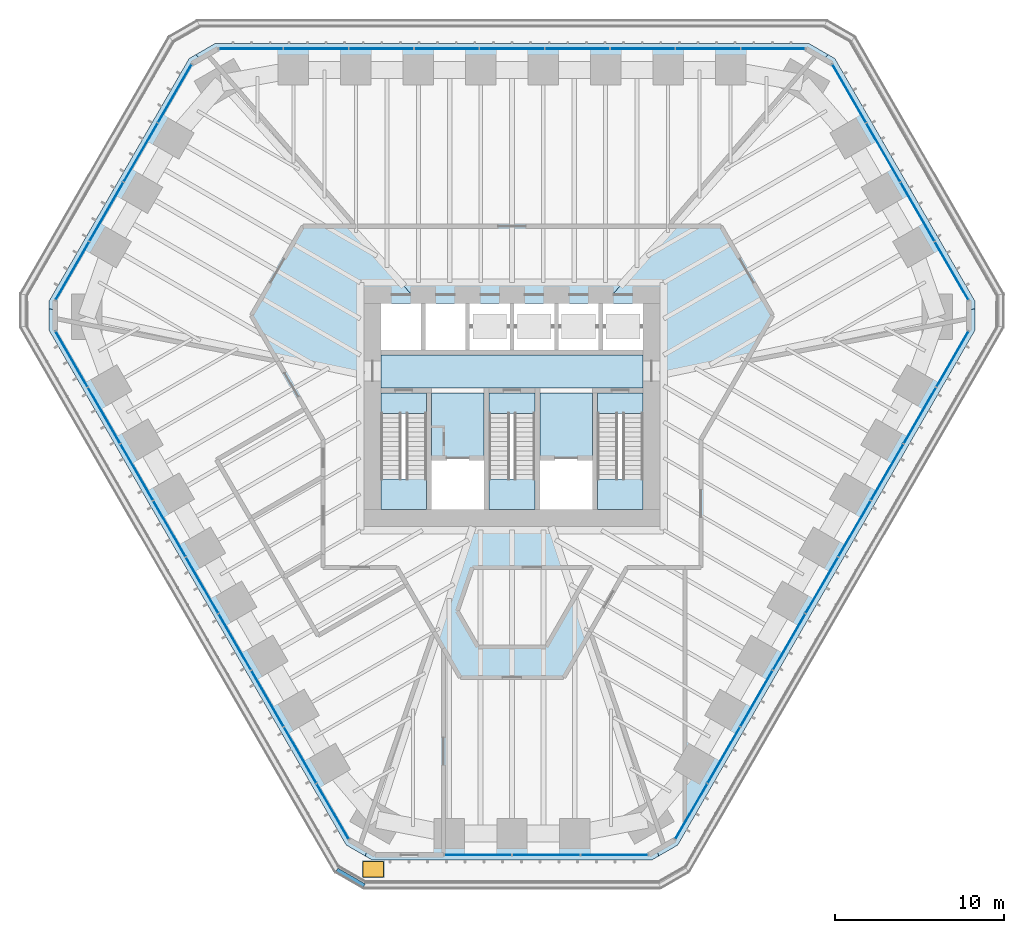
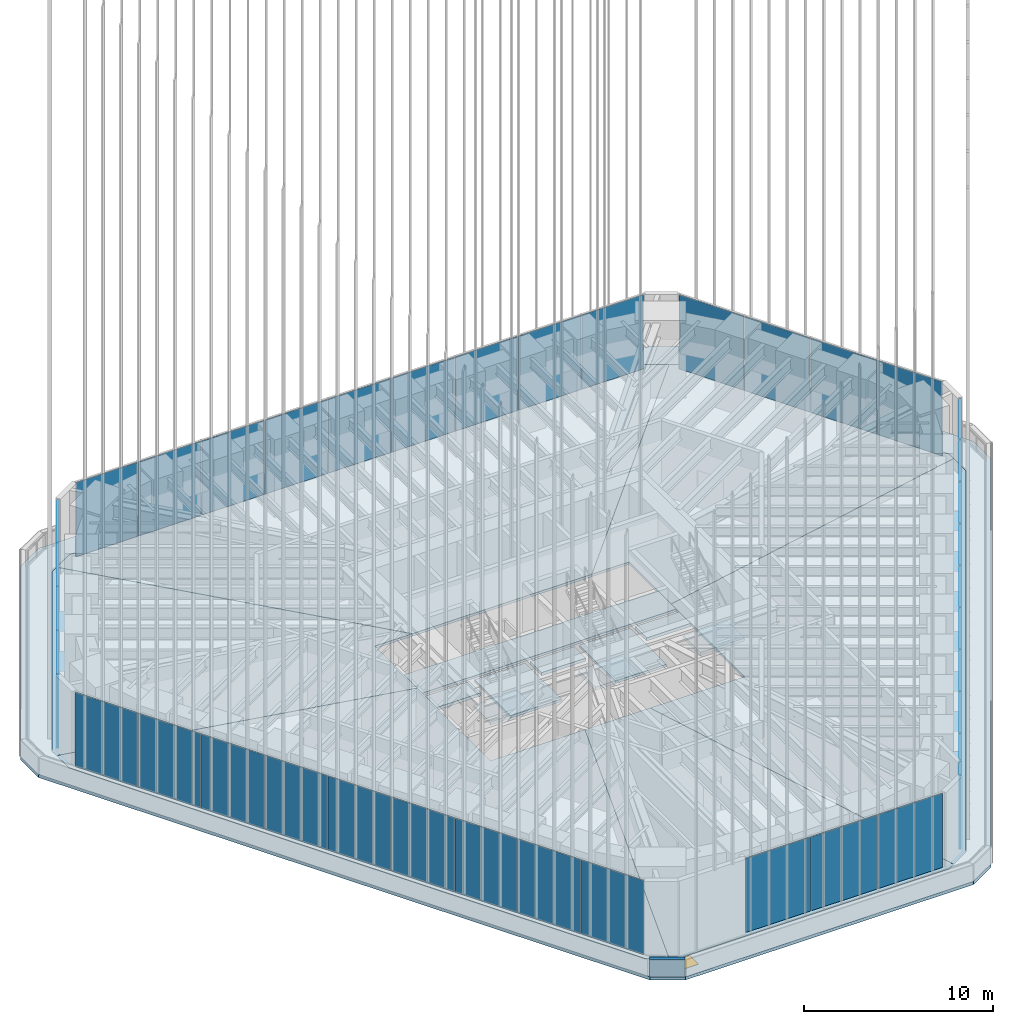
# One storey, part 219 of 228: 38 plates, 16 slabs, 1 wall, 1 window, 1 opening, 9 elements without a shape of their own.
"""IFC4 building model written with IfcOpenShell, lengths in metres."""

from ifc_helpers import new_model, si_unit, direction, frame, frame_2d, origin, origin_2d, place, context, subcontext, project, spatial, polyline, rectangle, outline, extrude, material, layer, layer_set, type_object, element, fill, aggregate, save


model = new_model("IFC4")

# Units and contexts
model_context = context("Model", 3, precision=1e-05, world=origin(), true_north=direction((0.0, 1.0)))
body_context = subcontext(model_context, "Body", "Model", "MODEL_VIEW")
ifc_project = project(units=[si_unit("LENGTHUNIT", "METRE"), si_unit("AREAUNIT", "SQUARE_METRE"), si_unit("VOLUMEUNIT", "CUBIC_METRE"), si_unit("PLANEANGLEUNIT", "RADIAN"), si_unit("MASSUNIT", "GRAM", prefix="KILO")], contexts=[model_context])

# Site, building, storey
site_placement = place(None, origin())
site = spatial("IfcSite", under=ifc_project, at=site_placement, CompositionType="ELEMENT")
building_placement = place(site_placement, origin())
building = spatial("IfcBuilding", under=site, at=building_placement, Name="Sandreach Pilgrim Tower", CompositionType="ELEMENT")
storey_placement = place(building_placement, frame((0.0, 0.0, 178.199951171875)))
storey = spatial("IfcBuildingStorey", under=building, at=storey_placement, Name="L44", CompositionType="ELEMENT", Elevation=178.199951171875)

# Curtain wall, plates
ifc_material_1 = material(Name="Aluminium framed curtain wall", Category="aluminium")
curtain_wall_type = type_object("IfcCurtainWallType", Name="Upper hotel tower curtain wall", PredefinedType="NOTDEFINED", material=ifc_material_1)
curtain_wall_1_placement = place(storey_placement, origin())
curtain_wall_1 = element("IfcCurtainWall", 1, at=curtain_wall_1_placement, inside=storey, type_object=curtain_wall_type, Name="CW-3 L44 N", PredefinedType="NOTDEFINED")
ifc_material_2 = material(Name="Insulating glass unit 12.76 laminated + 20 argon + 12.76 laminated", Category="glass")
ifc_layer_1 = layer(ifc_material_2, 0.0458984375)
ifc_layer_set_1 = layer_set([ifc_layer_1], Name="CW-3 panel")
plate_type = type_object("IfcPlateType", Name="CW-3 panel", PredefinedType="CURTAIN_PANEL", material=ifc_layer_set_1)
plate_1_placement = place(storey_placement, frame((-15.44140625, 21.16015625, 0.0), z_axis=(0.0, 0.0, 1.0), x_axis=(1.0, 0.0, 0.0)))
plate_1 = element("IfcPlate", 2, at=plate_1_placement, type_object=plate_type, Name="CW-3 panel 1", PredefinedType="CURTAIN_PANEL", context=body_context, shape_type="SweptSolid", body=[
    extrude(rectangle(XDim=3.766845703125, YDim=0.0458984375, at=origin_2d()), origin(), (0.0, 0.0, 1.0), 4.77001953125),
])
plate_2_placement = place(storey_placement, frame((-11.59326171875, 21.16015625, 0.0), z_axis=(0.0, 0.0, 1.0), x_axis=(1.0, 0.0, 0.0)))
plate_2 = element("IfcPlate", 3, at=plate_2_placement, type_object=plate_type, Name="CW-3 panel 2", PredefinedType="CURTAIN_PANEL", context=body_context, shape_type="SweptSolid", body=[
    extrude(rectangle(XDim=3.79931640625, YDim=0.0458984375, at=origin_2d()), origin(), (0.0, 0.0, 1.0), 4.77001953125),
])
plate_3_placement = place(storey_placement, frame((-7.728759765625, 21.16015625, 0.0), z_axis=(0.0, 0.0, 1.0), x_axis=(1.0, 0.0, 0.0)))
plate_3 = element("IfcPlate", 4, at=plate_3_placement, type_object=plate_type, Name="CW-3 panel 3", PredefinedType="CURTAIN_PANEL", context=body_context, shape_type="SweptSolid", body=[
    extrude(rectangle(XDim=3.79931640625, YDim=0.0458984375, at=origin_2d()), origin(), (0.0, 0.0, 1.0), 4.77001953125),
])
plate_4_placement = place(storey_placement, frame((-3.864501953125, 21.16015625, 0.0), z_axis=(0.0, 0.0, 1.0), x_axis=(1.0, 0.0, 0.0)))
plate_4 = element("IfcPlate", 5, at=plate_4_placement, type_object=plate_type, Name="CW-3 panel 4", PredefinedType="CURTAIN_PANEL", context=body_context, shape_type="SweptSolid", body=[
    extrude(rectangle(XDim=3.79931640625, YDim=0.0458984375, at=origin_2d()), origin(), (0.0, 0.0, 1.0), 4.77001953125),
])
plate_5_placement = place(storey_placement, frame((0.0, 21.16015625, 0.0), z_axis=(0.0, 0.0, 1.0), x_axis=(1.0, 0.0, 0.0)))
plate_5 = element("IfcPlate", 6, at=plate_5_placement, type_object=plate_type, Name="CW-3 panel 5", PredefinedType="CURTAIN_PANEL", context=body_context, shape_type="SweptSolid", body=[
    extrude(rectangle(XDim=3.79931640625, YDim=0.0458984375, at=origin_2d()), origin(), (0.0, 0.0, 1.0), 4.77001953125),
])
plate_6_placement = place(storey_placement, frame((3.864501953125, 21.16015625, 0.0), z_axis=(0.0, 0.0, 1.0), x_axis=(1.0, 0.0, 0.0)))
plate_6 = element("IfcPlate", 7, at=plate_6_placement, type_object=plate_type, Name="CW-3 panel 6", PredefinedType="CURTAIN_PANEL", context=body_context, shape_type="SweptSolid", body=[
    extrude(rectangle(XDim=3.79931640625, YDim=0.0458984375, at=origin_2d()), origin(), (0.0, 0.0, 1.0), 4.77001953125),
])
plate_7_placement = place(storey_placement, frame((7.728759765625, 21.16015625, 0.0), z_axis=(0.0, 0.0, 1.0), x_axis=(1.0, 0.0, 0.0)))
plate_7 = element("IfcPlate", 8, at=plate_7_placement, type_object=plate_type, Name="CW-3 panel 7", PredefinedType="CURTAIN_PANEL", context=body_context, shape_type="SweptSolid", body=[
    extrude(rectangle(XDim=3.79931640625, YDim=0.0458984375, at=origin_2d()), origin(), (0.0, 0.0, 1.0), 4.77001953125),
])
plate_8_placement = place(storey_placement, frame((11.59326171875, 21.16015625, 0.0), z_axis=(0.0, 0.0, 1.0), x_axis=(1.0, 0.0, 0.0)))
plate_8 = element("IfcPlate", 9, at=plate_8_placement, type_object=plate_type, Name="CW-3 panel 8", PredefinedType="CURTAIN_PANEL", context=body_context, shape_type="SweptSolid", body=[
    extrude(rectangle(XDim=3.79931640625, YDim=0.0458984375, at=origin_2d()), origin(), (0.0, 0.0, 1.0), 4.77001953125),
])
plate_9_placement = place(storey_placement, frame((15.44140625, 21.16015625, 0.0), z_axis=(0.0, 0.0, 1.0), x_axis=(1.0, 0.0, 0.0)))
plate_9 = element("IfcPlate", 10, at=plate_9_placement, type_object=plate_type, Name="CW-3 panel 9", PredefinedType="CURTAIN_PANEL", context=body_context, shape_type="SweptSolid", body=[
    extrude(rectangle(XDim=3.766845703125, YDim=0.0458984375, at=origin_2d()), origin(), (0.0, 0.0, 1.0), 4.77001953125),
])
aggregate(curtain_wall_1, [plate_1, plate_2, plate_3, plate_4, plate_5, plate_6, plate_7, plate_8, plate_9])

curtain_wall_2_placement = place(storey_placement, origin())
curtain_wall_2 = element("IfcCurtainWall", 11, at=curtain_wall_2_placement, inside=storey, type_object=curtain_wall_type, Name="CW-3 L44 NE", PredefinedType="NOTDEFINED")
plate_10_placement = place(storey_placement, frame((19.943115234375, 18.5078125, 0.0), z_axis=(0.0, 0.0, 1.0), x_axis=(0.5, -0.866025403784, 0.0)))
plate_10 = element("IfcPlate", 12, at=plate_10_placement, type_object=plate_type, Name="CW-3 panel 1", PredefinedType="CURTAIN_PANEL", context=body_context, shape_type="SweptSolid", body=[
    extrude(rectangle(XDim=3.951171875, YDim=0.0458984375, at=origin_2d()), origin(), (0.0, 0.0, 1.0), 4.77001953125),
])
plate_11_placement = place(storey_placement, frame((21.959228515625, 15.015625, 0.0), z_axis=(0.0, 0.0, 1.0), x_axis=(0.5, -0.866025403784, 0.0)))
plate_11 = element("IfcPlate", 13, at=plate_11_placement, type_object=plate_type, Name="CW-3 panel 2", PredefinedType="CURTAIN_PANEL", context=body_context, shape_type="SweptSolid", body=[
    extrude(rectangle(XDim=3.983642578125, YDim=0.0458984375, at=origin_2d()), origin(), (0.0, 0.0, 1.0), 4.77001953125),
])
plate_12_placement = place(storey_placement, frame((23.983642578125, 11.509521484375, 0.0), z_axis=(0.0, 0.0, 1.0), x_axis=(0.5, -0.866025403784, 0.0)))
plate_12 = element("IfcPlate", 14, at=plate_12_placement, type_object=plate_type, Name="CW-3 panel 3", PredefinedType="CURTAIN_PANEL", context=body_context, shape_type="SweptSolid", body=[
    extrude(rectangle(XDim=3.983642578125, YDim=0.0458984375, at=origin_2d()), origin(), (0.0, 0.0, 1.0), 4.77001953125),
])
plate_13_placement = place(storey_placement, frame((25.999755859375, 8.017333984375, 0.0), z_axis=(0.0, 0.0, 1.0), x_axis=(0.5, -0.866025403784, 0.0)))
plate_13 = element("IfcPlate", 15, at=plate_13_placement, type_object=plate_type, Name="CW-3 panel 4", PredefinedType="CURTAIN_PANEL", context=body_context, shape_type="SweptSolid", body=[
    extrude(rectangle(XDim=3.951171875, YDim=0.0458984375, at=origin_2d()), origin(), (0.0, 0.0, 1.0), 4.77001953125),
])
aggregate(curtain_wall_2, [plate_10, plate_11, plate_12, plate_13])

curtain_wall_3_placement = place(storey_placement, origin())
curtain_wall_3 = element("IfcCurtainWall", 16, at=curtain_wall_3_placement, inside=storey, type_object=curtain_wall_type, Name="CW-3 L44 SE", PredefinedType="NOTDEFINED")
plate_14_placement = place(storey_placement, frame((26.0458984375, 2.792724609375, 0.0), z_axis=(0.0, 0.0, 1.0), x_axis=(-0.5, -0.866025403784, 0.0)))
plate_14 = element("IfcPlate", 17, at=plate_14_placement, type_object=plate_type, Name="CW-3 panel 1", PredefinedType="CURTAIN_PANEL", context=body_context, shape_type="SweptSolid", body=[
    extrude(rectangle(XDim=3.766845703125, YDim=0.0458984375, at=origin_2d()), origin(), (0.0, 0.0, 1.0), 4.77001953125),
])
plate_15_placement = place(storey_placement, frame((24.121826171875, -0.5400390625, 0.0), z_axis=(0.0, 0.0, 1.0), x_axis=(-0.5, -0.866025403784, 0.0)))
plate_15 = element("IfcPlate", 18, at=plate_15_placement, type_object=plate_type, Name="CW-3 panel 2", PredefinedType="CURTAIN_PANEL", context=body_context, shape_type="SweptSolid", body=[
    extrude(rectangle(XDim=3.79931640625, YDim=0.0458984375, at=origin_2d()), origin(), (0.0, 0.0, 1.0), 4.77001953125),
])
plate_16_placement = place(storey_placement, frame((22.189697265625, -3.88671875, 0.0), z_axis=(0.0, 0.0, 1.0), x_axis=(-0.5, -0.866025403784, 0.0)))
plate_16 = element("IfcPlate", 19, at=plate_16_placement, type_object=plate_type, Name="CW-3 panel 3", PredefinedType="CURTAIN_PANEL", context=body_context, shape_type="SweptSolid", body=[
    extrude(rectangle(XDim=3.79931640625, YDim=0.0458984375, at=origin_2d()), origin(), (0.0, 0.0, 1.0), 4.77001953125),
])
plate_17_placement = place(storey_placement, frame((20.25732421875, -7.2333984375, 0.0), z_axis=(0.0, 0.0, 1.0), x_axis=(-0.5, -0.866025403784, 0.0)))
plate_17 = element("IfcPlate", 20, at=plate_17_placement, type_object=plate_type, Name="CW-3 panel 4", PredefinedType="CURTAIN_PANEL", context=body_context, shape_type="SweptSolid", body=[
    extrude(rectangle(XDim=3.79931640625, YDim=0.0458984375, at=origin_2d()), origin(), (0.0, 0.0, 1.0), 4.77001953125),
])
plate_18_placement = place(storey_placement, frame((18.3251953125, -10.580078125, 0.0), z_axis=(0.0, 0.0, 1.0), x_axis=(-0.5, -0.866025403784, 0.0)))
plate_18 = element("IfcPlate", 21, at=plate_18_placement, type_object=plate_type, Name="CW-3 panel 5", PredefinedType="CURTAIN_PANEL", context=body_context, shape_type="SweptSolid", body=[
    extrude(rectangle(XDim=3.79931640625, YDim=0.0458984375, at=origin_2d()), origin(), (0.0, 0.0, 1.0), 4.77001953125),
])
plate_19_placement = place(storey_placement, frame((16.39306640625, -13.9267578125, 0.0), z_axis=(0.0, 0.0, 1.0), x_axis=(-0.5, -0.866025403784, 0.0)))
plate_19 = element("IfcPlate", 22, at=plate_19_placement, type_object=plate_type, Name="CW-3 panel 6", PredefinedType="CURTAIN_PANEL", context=body_context, shape_type="SweptSolid", body=[
    extrude(rectangle(XDim=3.79931640625, YDim=0.0458984375, at=origin_2d()), origin(), (0.0, 0.0, 1.0), 4.77001953125),
])
plate_20_placement = place(storey_placement, frame((14.460693359375, -17.2734375, 0.0), z_axis=(0.0, 0.0, 1.0), x_axis=(-0.5, -0.866025403784, 0.0)))
plate_20 = element("IfcPlate", 23, at=plate_20_placement, type_object=plate_type, Name="CW-3 panel 7", PredefinedType="CURTAIN_PANEL", context=body_context, shape_type="SweptSolid", body=[
    extrude(rectangle(XDim=3.79931640625, YDim=0.0458984375, at=origin_2d()), origin(), (0.0, 0.0, 1.0), 4.77001953125),
])
plate_21_placement = place(storey_placement, frame((12.528564453125, -20.6201171875, 0.0), z_axis=(0.0, 0.0, 1.0), x_axis=(-0.5, -0.866025403784, 0.0)))
plate_21 = element("IfcPlate", 24, at=plate_21_placement, type_object=plate_type, Name="CW-3 panel 8", PredefinedType="CURTAIN_PANEL", context=body_context, shape_type="SweptSolid", body=[
    extrude(rectangle(XDim=3.79931640625, YDim=0.0458984375, at=origin_2d()), origin(), (0.0, 0.0, 1.0), 4.77001953125),
])
plate_22_placement = place(storey_placement, frame((10.6044921875, -23.95263671875, 0.0), z_axis=(0.0, 0.0, 1.0), x_axis=(-0.5, -0.866025403784, 0.0)))
plate_22 = element("IfcPlate", 25, at=plate_22_placement, type_object=plate_type, Name="CW-3 panel 9", PredefinedType="CURTAIN_PANEL", context=body_context, shape_type="SweptSolid", body=[
    extrude(rectangle(XDim=3.766845703125, YDim=0.0458984375, at=origin_2d()), origin(), (0.0, 0.0, 1.0), 4.77001953125),
])
aggregate(curtain_wall_3, [plate_14, plate_15, plate_16, plate_17, plate_18, plate_19, plate_20, plate_21, plate_22])

curtain_wall_4_placement = place(storey_placement, origin())
curtain_wall_4 = element("IfcCurtainWall", 26, at=curtain_wall_4_placement, inside=storey, type_object=curtain_wall_type, Name="CW-3 L44 SA", PredefinedType="NOTDEFINED")
plate_23_placement = place(storey_placement, frame((6.056884765625, -26.525146484375, 0.0), z_axis=(0.0, 0.0, 1.0), x_axis=(-1.0, 0.0, 0.0)))
plate_23 = element("IfcPlate", 27, at=plate_23_placement, type_object=plate_type, Name="CW-3 panel 1", PredefinedType="CURTAIN_PANEL", context=body_context, shape_type="SweptSolid", body=[
    extrude(rectangle(XDim=3.951171875, YDim=0.0458984375, at=origin_2d()), origin(), (0.0, 0.0, 1.0), 4.77001953125),
])
plate_24_placement = place(storey_placement, frame((2.0244140625, -26.525146484375, 0.0), z_axis=(0.0, 0.0, 1.0), x_axis=(-1.0, 0.0, 0.0)))
plate_24 = element("IfcPlate", 28, at=plate_24_placement, type_object=plate_type, Name="CW-3 panel 2", PredefinedType="CURTAIN_PANEL", context=body_context, shape_type="SweptSolid", body=[
    extrude(rectangle(XDim=3.983642578125, YDim=0.0458984375, at=origin_2d()), origin(), (0.0, 0.0, 1.0), 4.77001953125),
])
plate_25_placement = place(storey_placement, frame((-2.008056640625, -26.525146484375, 0.0), z_axis=(0.0, 0.0, 1.0), x_axis=(-1.0, 0.0, 0.0)))
plate_25 = element("IfcPlate", 29, at=plate_25_placement, type_object=plate_type, Name="CW-3 panel 3", PredefinedType="CURTAIN_PANEL", context=body_context, shape_type="SweptSolid", body=[
    extrude(rectangle(XDim=3.951171875, YDim=0.0458984375, at=origin_2d()), origin(), (0.0, 0.0, 1.0), 4.77001953125),
])
aggregate(curtain_wall_4, [plate_23, plate_24, plate_25])

curtain_wall_5_placement = place(storey_placement, origin())
curtain_wall_5 = element("IfcCurtainWall", 30, at=curtain_wall_5_placement, inside=storey, type_object=curtain_wall_type, Name="CW-3 L44 SW", PredefinedType="NOTDEFINED")
plate_26_placement = place(storey_placement, frame((-10.6044921875, -23.95263671875, 0.0), z_axis=(0.0, 0.0, 1.0), x_axis=(-0.5, 0.866025403784, 0.0)))
plate_26 = element("IfcPlate", 31, at=plate_26_placement, type_object=plate_type, Name="CW-3 panel 1", PredefinedType="CURTAIN_PANEL", context=body_context, shape_type="SweptSolid", body=[
    extrude(rectangle(XDim=3.766845703125, YDim=0.0458984375, at=origin_2d()), origin(), (0.0, 0.0, 1.0), 4.77001953125),
])
plate_27_placement = place(storey_placement, frame((-12.528564453125, -20.6201171875, 0.0), z_axis=(0.0, 0.0, 1.0), x_axis=(-0.5, 0.866025403784, 0.0)))
plate_27 = element("IfcPlate", 32, at=plate_27_placement, type_object=plate_type, Name="CW-3 panel 2", PredefinedType="CURTAIN_PANEL", context=body_context, shape_type="SweptSolid", body=[
    extrude(rectangle(XDim=3.79931640625, YDim=0.0458984375, at=origin_2d()), origin(), (0.0, 0.0, 1.0), 4.77001953125),
])
plate_28_placement = place(storey_placement, frame((-14.460693359375, -17.2734375, 0.0), z_axis=(0.0, 0.0, 1.0), x_axis=(-0.5, 0.866025403784, 0.0)))
plate_28 = element("IfcPlate", 33, at=plate_28_placement, type_object=plate_type, Name="CW-3 panel 3", PredefinedType="CURTAIN_PANEL", context=body_context, shape_type="SweptSolid", body=[
    extrude(rectangle(XDim=3.79931640625, YDim=0.0458984375, at=origin_2d()), origin(), (0.0, 0.0, 1.0), 4.77001953125),
])
plate_29_placement = place(storey_placement, frame((-16.39306640625, -13.9267578125, 0.0), z_axis=(0.0, 0.0, 1.0), x_axis=(-0.5, 0.866025403784, 0.0)))
plate_29 = element("IfcPlate", 34, at=plate_29_placement, type_object=plate_type, Name="CW-3 panel 4", PredefinedType="CURTAIN_PANEL", context=body_context, shape_type="SweptSolid", body=[
    extrude(rectangle(XDim=3.79931640625, YDim=0.0458984375, at=origin_2d()), origin(), (0.0, 0.0, 1.0), 4.77001953125),
])
plate_30_placement = place(storey_placement, frame((-18.3251953125, -10.580078125, 0.0), z_axis=(0.0, 0.0, 1.0), x_axis=(-0.5, 0.866025403784, 0.0)))
plate_30 = element("IfcPlate", 35, at=plate_30_placement, type_object=plate_type, Name="CW-3 panel 5", PredefinedType="CURTAIN_PANEL", context=body_context, shape_type="SweptSolid", body=[
    extrude(rectangle(XDim=3.79931640625, YDim=0.0458984375, at=origin_2d()), origin(), (0.0, 0.0, 1.0), 4.77001953125),
])
plate_31_placement = place(storey_placement, frame((-20.25732421875, -7.2333984375, 0.0), z_axis=(0.0, 0.0, 1.0), x_axis=(-0.5, 0.866025403784, 0.0)))
plate_31 = element("IfcPlate", 36, at=plate_31_placement, type_object=plate_type, Name="CW-3 panel 6", PredefinedType="CURTAIN_PANEL", context=body_context, shape_type="SweptSolid", body=[
    extrude(rectangle(XDim=3.79931640625, YDim=0.0458984375, at=origin_2d()), origin(), (0.0, 0.0, 1.0), 4.77001953125),
])
plate_32_placement = place(storey_placement, frame((-22.189697265625, -3.88671875, 0.0), z_axis=(0.0, 0.0, 1.0), x_axis=(-0.5, 0.866025403784, 0.0)))
plate_32 = element("IfcPlate", 37, at=plate_32_placement, type_object=plate_type, Name="CW-3 panel 7", PredefinedType="CURTAIN_PANEL", context=body_context, shape_type="SweptSolid", body=[
    extrude(rectangle(XDim=3.79931640625, YDim=0.0458984375, at=origin_2d()), origin(), (0.0, 0.0, 1.0), 4.77001953125),
])
plate_33_placement = place(storey_placement, frame((-24.121826171875, -0.5400390625, 0.0), z_axis=(0.0, 0.0, 1.0), x_axis=(-0.5, 0.866025403784, 0.0)))
plate_33 = element("IfcPlate", 38, at=plate_33_placement, type_object=plate_type, Name="CW-3 panel 8", PredefinedType="CURTAIN_PANEL", context=body_context, shape_type="SweptSolid", body=[
    extrude(rectangle(XDim=3.79931640625, YDim=0.0458984375, at=origin_2d()), origin(), (0.0, 0.0, 1.0), 4.77001953125),
])
plate_34_placement = place(storey_placement, frame((-26.0458984375, 2.792724609375, 0.0), z_axis=(0.0, 0.0, 1.0), x_axis=(-0.5, 0.866025403784, 0.0)))
plate_34 = element("IfcPlate", 39, at=plate_34_placement, type_object=plate_type, Name="CW-3 panel 9", PredefinedType="CURTAIN_PANEL", context=body_context, shape_type="SweptSolid", body=[
    extrude(rectangle(XDim=3.766845703125, YDim=0.0458984375, at=origin_2d()), origin(), (0.0, 0.0, 1.0), 4.77001953125),
])
aggregate(curtain_wall_5, [plate_26, plate_27, plate_28, plate_29, plate_30, plate_31, plate_32, plate_33, plate_34])

curtain_wall_6_placement = place(storey_placement, origin())
curtain_wall_6 = element("IfcCurtainWall", 40, at=curtain_wall_6_placement, inside=storey, type_object=curtain_wall_type, Name="CW-3 L44 NW", PredefinedType="NOTDEFINED")
plate_35_placement = place(storey_placement, frame((-25.999755859375, 8.017333984375, 0.0), z_axis=(0.0, 0.0, 1.0), x_axis=(0.5, 0.866025403784, 0.0)))
plate_35 = element("IfcPlate", 41, at=plate_35_placement, type_object=plate_type, Name="CW-3 panel 1", PredefinedType="CURTAIN_PANEL", context=body_context, shape_type="SweptSolid", body=[
    extrude(rectangle(XDim=3.951171875, YDim=0.0458984375, at=origin_2d()), origin(), (0.0, 0.0, 1.0), 4.77001953125),
])
plate_36_placement = place(storey_placement, frame((-23.983642578125, 11.509521484375, 0.0), z_axis=(0.0, 0.0, 1.0), x_axis=(0.5, 0.866025403784, 0.0)))
plate_36 = element("IfcPlate", 42, at=plate_36_placement, type_object=plate_type, Name="CW-3 panel 2", PredefinedType="CURTAIN_PANEL", context=body_context, shape_type="SweptSolid", body=[
    extrude(rectangle(XDim=3.983642578125, YDim=0.0458984375, at=origin_2d()), origin(), (0.0, 0.0, 1.0), 4.77001953125),
])
plate_37_placement = place(storey_placement, frame((-21.959228515625, 15.015625, 0.0), z_axis=(0.0, 0.0, 1.0), x_axis=(0.5, 0.866025403784, 0.0)))
plate_37 = element("IfcPlate", 43, at=plate_37_placement, type_object=plate_type, Name="CW-3 panel 3", PredefinedType="CURTAIN_PANEL", context=body_context, shape_type="SweptSolid", body=[
    extrude(rectangle(XDim=3.983642578125, YDim=0.0458984375, at=origin_2d()), origin(), (0.0, 0.0, 1.0), 4.77001953125),
])
plate_38_placement = place(storey_placement, frame((-19.943115234375, 18.5078125, 0.0), z_axis=(0.0, 0.0, 1.0), x_axis=(0.5, 0.866025403784, 0.0)))
plate_38 = element("IfcPlate", 44, at=plate_38_placement, type_object=plate_type, Name="CW-3 panel 4", PredefinedType="CURTAIN_PANEL", context=body_context, shape_type="SweptSolid", body=[
    extrude(rectangle(XDim=3.951171875, YDim=0.0458984375, at=origin_2d()), origin(), (0.0, 0.0, 1.0), 4.77001953125),
])
aggregate(curtain_wall_6, [plate_35, plate_36, plate_37, plate_38])

# Slabs
ifc_material_3 = material(Name="Concrete 8000 psi", Category="concrete")
ifc_layer_2 = layer(ifc_material_3, 0.159912109375)
ifc_layer_set_2 = layer_set([ifc_layer_2], Name="Composite floor slab 160")
slab_type_1 = type_object("IfcSlabType", Name="Composite floor slab 160", PredefinedType="FLOOR", material=ifc_layer_set_2)
slab_1_placement = place(storey_placement, frame((0.0, 0.0, -0.159912109375)))
element("IfcSlab", 45, at=slab_1_placement, inside=storey, type_object=slab_type_1, Name="Floor slab L44 N sector", PredefinedType="FLOOR", context=body_context, shape_type="SweptSolid", body=[
    extrude(outline(polyline([(-17.56298828125, 21.460205078125), (17.56298828125, 21.460205078125), (18.68701171875, 20.81103515625), (5.477294921875, 6.10009765625), (-5.477294921875, 6.10009765625), (-18.68701171875, 20.81103515625), (-17.56298828125, 21.460205078125)])), origin(), (0.0, 0.0, 1.0), 0.159912109375),
])
slab_2_placement = place(storey_placement, frame((0.0, 0.0, -0.159912109375)))
element("IfcSlab", 46, at=slab_2_placement, inside=storey, type_object=slab_type_1, Name="Floor slab L44 NE sector", PredefinedType="FLOOR", context=body_context, shape_type="SweptSolid", body=[
    extrude(outline(polyline([(19.095947265625, 20.5751953125), (27.366455078125, 6.25), (27.366455078125, 5.778076171875), (7.75, 1.63623046875), (7.75, 6.10009765625), (5.477294921875, 6.10009765625), (18.68701171875, 20.81103515625), (19.095947265625, 20.5751953125)])), origin(), (0.0, 0.0, 1.0), 0.159912109375),
])
slab_3_placement = place(storey_placement, frame((0.0, 0.0, -0.159912109375)))
element("IfcSlab", 47, at=slab_3_placement, inside=storey, type_object=slab_type_1, Name="Floor slab L44 SE sector", PredefinedType="FLOOR", context=body_context, shape_type="SweptSolid", body=[
    extrude(outline(polyline([(27.366455078125, 4.47998046875), (9.803466796875, -25.940185546875), (8.679443359375, -26.589111328125), (1.9912109375, -6.10009765625), (7.75, -6.10009765625), (7.75, 1.63623046875), (27.366455078125, 5.778076171875), (27.366455078125, 4.47998046875)])), origin(), (0.0, 0.0, 1.0), 0.159912109375),
])
slab_4_placement = place(storey_placement, frame((0.0, 0.0, -0.159912109375)))
element("IfcSlab", 48, at=slab_4_placement, inside=storey, type_object=slab_type_1, Name="Floor slab L44 S sector", PredefinedType="FLOOR", context=body_context, shape_type="SweptSolid", body=[
    extrude(outline(polyline([(8.2705078125, -26.8251953125), (-8.2705078125, -26.8251953125), (-8.679443359375, -26.589111328125), (-1.9912109375, -6.10009765625), (1.9912109375, -6.10009765625), (8.679443359375, -26.589111328125), (8.2705078125, -26.8251953125)])), origin(), (0.0, 0.0, 1.0), 0.159912109375),
])
slab_5_placement = place(storey_placement, frame((0.0, 0.0, -0.159912109375)))
element("IfcSlab", 49, at=slab_5_placement, inside=storey, type_object=slab_type_1, Name="Floor slab L44 SW sector", PredefinedType="FLOOR", context=body_context, shape_type="SweptSolid", body=[
    extrude(outline(polyline([(-9.803466796875, -25.940185546875), (-27.366455078125, 4.47998046875), (-27.366455078125, 5.778076171875), (-7.75, 1.63623046875), (-7.75, -6.10009765625), (-1.9912109375, -6.10009765625), (-8.679443359375, -26.589111328125), (-9.803466796875, -25.940185546875)])), origin(), (0.0, 0.0, 1.0), 0.159912109375),
])
slab_6_placement = place(storey_placement, frame((0.0, 0.0, -0.159912109375)))
element("IfcSlab", 50, at=slab_6_placement, inside=storey, type_object=slab_type_1, Name="Floor slab L44 NW sector", PredefinedType="FLOOR", context=body_context, shape_type="SweptSolid", body=[
    extrude(outline(polyline([(-27.366455078125, 6.25), (-19.095947265625, 20.5751953125), (-18.68701171875, 20.81103515625), (-5.477294921875, 6.10009765625), (-7.75, 6.10009765625), (-7.75, 1.63623046875), (-27.366455078125, 5.778076171875), (-27.366455078125, 6.25)])), origin(), (0.0, 0.0, 1.0), 0.159912109375),
])
slab_7_placement = place(storey_placement, frame((0.0, 0.0, -0.159912109375)))
element("IfcSlab", 51, at=slab_7_placement, inside=storey, type_object=slab_type_1, Name="Core floor slab L44", PredefinedType="FLOOR", context=body_context, shape_type="SweptSolid", body=[
    extrude(outline(polyline([(4.75, 1.10009765625), (1.64990234375, 1.10009765625), (1.35009765625, 1.10009765625), (-1.35009765625, 1.10009765625), (-1.64990234375, 1.10009765625), (-4.75, 1.10009765625), (-5.050048828125, 1.10009765625), (-7.75, 1.10009765625), (-7.75, 3.050048828125), (-5.375, 3.050048828125), (-5.125, 3.050048828125), (-2.75, 3.050048828125), (-2.5, 3.050048828125), (-0.125, 3.050048828125), (0.125, 3.050048828125), (2.5, 3.050048828125), (2.75, 3.050048828125), (5.125, 3.050048828125), (5.375, 3.050048828125), (7.75, 3.050048828125), (7.75, 1.10009765625), (5.050048828125, 1.10009765625), (4.75, 1.10009765625)])), origin(), (0.0, 0.0, 1.0), 0.159912109375),
])
slab_8_placement = place(storey_placement, frame((0.0, 0.0, -0.159912109375)))
element("IfcSlab", 52, at=slab_8_placement, inside=storey, type_object=slab_type_1, Name="Core floor slab L44 2", PredefinedType="FLOOR", context=body_context, shape_type="SweptSolid", body=[
    extrude(outline(polyline([(-1.64990234375, -3.050048828125), (-4.75, -3.050048828125), (-4.75, 0.800048828125), (-1.64990234375, 0.800048828125), (-1.64990234375, -3.050048828125)])), origin(), (0.0, 0.0, 1.0), 0.159912109375),
])
slab_9_placement = place(storey_placement, frame((0.0, 0.0, -0.159912109375)))
element("IfcSlab", 53, at=slab_9_placement, inside=storey, type_object=slab_type_1, Name="Core floor slab L44 3", PredefinedType="FLOOR", context=body_context, shape_type="SweptSolid", body=[
    extrude(outline(polyline([(4.75, -3.050048828125), (1.64990234375, -3.050048828125), (1.64990234375, 0.800048828125), (4.75, 0.800048828125), (4.75, -3.050048828125)])), origin(), (0.0, 0.0, 1.0), 0.159912109375),
])

# Stair, slabs
ifc_material_4 = material(Name="Concrete 8000 psi", Category="concrete")
stair_type = type_object("IfcStairType", Name="Core exit stair", PredefinedType="HALF_TURN_STAIR", material=ifc_material_4)
stair_1_placement = place(storey_placement, origin())
stair_1 = element("IfcStair", 54, at=stair_1_placement, inside=storey, type_object=stair_type, Name="Exit stair ST1 L44", PredefinedType="HALF_TURN_STAIR")
ifc_material_5 = material(Name="Concrete 8000 psi", Category="concrete")
ifc_layer_3 = layer(ifc_material_5, 0.199951171875)
ifc_layer_set_3 = layer_set([ifc_layer_3], Name="Core stair landing 200")
slab_type_2 = type_object("IfcSlabType", Name="Core stair landing 200", PredefinedType="LANDING", material=ifc_layer_set_3)
slab_10_placement = place(storey_placement, frame((0.0, 0.0, -0.199951171875)))
slab_10 = element("IfcSlab", 55, at=slab_10_placement, type_object=slab_type_2, Name="ST1 landing 1", PredefinedType="LANDING", context=body_context, shape_type="SweptSolid", body=[
    extrude(outline(polyline([(-7.75, -0.425048828125), (-5.050048828125, -0.425048828125), (-5.050048828125, 0.800048828125), (-7.75, 0.800048828125), (-7.75, -0.425048828125)])), origin(), (0.0, 0.0, 1.0), 0.199951171875),
])
slab_11_placement = place(storey_placement, frame((0.0, 0.0, 2.300048828125)))
slab_11 = element("IfcSlab", 56, at=slab_11_placement, type_object=slab_type_2, Name="ST1 landing 2", PredefinedType="LANDING", context=body_context, shape_type="SweptSolid", body=[
    extrude(outline(polyline([(-7.75, -6.10009765625), (-5.050048828125, -6.10009765625), (-5.050048828125, -4.294921875), (-7.75, -4.294921875), (-7.75, -6.10009765625)])), origin(), (0.0, 0.0, 1.0), 0.199951171875),
])
aggregate(stair_1, [slab_10, slab_11])

stair_2_placement = place(storey_placement, origin())
stair_2 = element("IfcStair", 57, at=stair_2_placement, inside=storey, type_object=stair_type, Name="Exit stair ST3 L44", PredefinedType="HALF_TURN_STAIR")
slab_12_placement = place(storey_placement, frame((0.0, 0.0, -0.199951171875)))
slab_12 = element("IfcSlab", 58, at=slab_12_placement, type_object=slab_type_2, Name="ST3 landing 1", PredefinedType="LANDING", context=body_context, shape_type="SweptSolid", body=[
    extrude(outline(polyline([(-1.35009765625, -0.425048828125), (1.35009765625, -0.425048828125), (1.35009765625, 0.800048828125), (-1.35009765625, 0.800048828125), (-1.35009765625, -0.425048828125)])), origin(), (0.0, 0.0, 1.0), 0.199951171875),
])
slab_13_placement = place(storey_placement, frame((0.0, 0.0, 2.300048828125)))
slab_13 = element("IfcSlab", 59, at=slab_13_placement, type_object=slab_type_2, Name="ST3 landing 2", PredefinedType="LANDING", context=body_context, shape_type="SweptSolid", body=[
    extrude(outline(polyline([(-1.35009765625, -6.10009765625), (1.35009765625, -6.10009765625), (1.35009765625, -4.294921875), (-1.35009765625, -4.294921875), (-1.35009765625, -6.10009765625)])), origin(), (0.0, 0.0, 1.0), 0.199951171875),
])
aggregate(stair_2, [slab_12, slab_13])

stair_3_placement = place(storey_placement, origin())
stair_3 = element("IfcStair", 60, at=stair_3_placement, inside=storey, type_object=stair_type, Name="Exit stair ST2 L44", PredefinedType="HALF_TURN_STAIR")
slab_14_placement = place(storey_placement, frame((0.0, 0.0, -0.199951171875)))
slab_14 = element("IfcSlab", 61, at=slab_14_placement, type_object=slab_type_2, Name="ST2 landing 1", PredefinedType="LANDING", context=body_context, shape_type="SweptSolid", body=[
    extrude(outline(polyline([(5.050048828125, -0.425048828125), (7.75, -0.425048828125), (7.75, 0.800048828125), (5.050048828125, 0.800048828125), (5.050048828125, -0.425048828125)])), origin(), (0.0, 0.0, 1.0), 0.199951171875),
])
slab_15_placement = place(storey_placement, frame((0.0, 0.0, 2.300048828125)))
slab_15 = element("IfcSlab", 62, at=slab_15_placement, type_object=slab_type_2, Name="ST2 landing 2", PredefinedType="LANDING", context=body_context, shape_type="SweptSolid", body=[
    extrude(outline(polyline([(5.050048828125, -6.10009765625), (7.75, -6.10009765625), (7.75, -4.294921875), (5.050048828125, -4.294921875), (5.050048828125, -6.10009765625)])), origin(), (0.0, 0.0, 1.0), 0.199951171875),
])
aggregate(stair_3, [slab_14, slab_15])

# Slab, opening, window
ifc_material_6 = material(Name="Concrete 8000 psi", Category="concrete")
ifc_layer_4 = layer(ifc_material_6, 0.199951171875)
ifc_layer_set_4 = layer_set([ifc_layer_4], Name="Setback roof slab 200")
slab_type_3 = type_object("IfcSlabType", Name="Setback roof slab 200", PredefinedType="ROOF", material=ifc_layer_set_4)
slab_16_placement = place(storey_placement, frame((0.0, 0.0, -0.199951171875)))
slab_16 = element("IfcSlab", 63, at=slab_16_placement, inside=storey, type_object=slab_type_3, Name="Setback maintenance roof L44", PredefinedType="ROOF", context=body_context, shape_type="SweptSolid", body=[
    extrude(outline(polyline([(-18.654541015625, 22.793701171875), (-20.28271484375, 21.853759765625), (-29.0673828125, 6.638427734375), (-29.0673828125, 4.758544921875), (-10.41259765625, -27.55224609375), (-8.78466796875, -28.4921875), (8.78466796875, -28.4921875), (10.41259765625, -27.55224609375), (29.0673828125, 4.758544921875), (29.0673828125, 6.638427734375), (20.28271484375, 21.853759765625), (18.654541015625, 22.793701171875), (-18.654541015625, 22.793701171875)]), holes=[polyline([(-17.56298828125, 21.460205078125), (-19.095947265625, 20.5751953125), (-27.366455078125, 6.25), (-27.366455078125, 4.47998046875), (-9.803466796875, -25.940185546875), (-8.2705078125, -26.8251953125), (8.2705078125, -26.8251953125), (9.803466796875, -25.940185546875), (27.366455078125, 4.47998046875), (27.366455078125, 6.25), (19.095947265625, 20.5751953125), (17.56298828125, 21.460205078125), (-17.56298828125, 21.460205078125)])]), origin(), (0.0, 0.0, 1.0), 0.199951171875),
])
opening_placement = place(slab_16_placement, frame((-8.199951171875, -27.364990234375, 0.0)))
opening = element("IfcOpeningElement", 64, at=opening_placement, cuts=slab_16, Name="Opening RH2", PredefinedType="OPENING", context=body_context, shape_type="SweptSolid", body=[
    extrude(rectangle(XDim=1.199951171875, YDim=0.89990234375, at=origin_2d()), origin(), (0.0, 0.0, 1.0), 0.199951171875),
])
ifc_material_7 = material(Name="Insulated aluminium roof hatch", Category="aluminium")
window_type = type_object("IfcWindowType", Name="Setback roof access hatch", PartitioningType="SINGLE_PANEL", PredefinedType="SKYLIGHT", material=ifc_material_7)
window_placement = place(opening_placement, frame((0.0, 0.0, 0.14990234375)))
window = element("IfcWindow", 65, at=window_placement, inside=storey, type_object=window_type, Name="Roof access hatch L44", OverallHeight=0.89990234375, OverallWidth=1.199951171875, PartitioningType="SINGLE_PANEL", PredefinedType="SKYLIGHT", context=body_context, shape_type="SweptSolid", body=[
    extrude(rectangle(XDim=1.199951171875, YDim=0.89990234375, at=origin_2d()), origin(), (0.0, 0.0, 1.0), 0.050048828125),
])
fill(opening, window)

# Wall
ifc_material_8 = material(Name="Concrete parapet with terracotta coping", Category="masonry")
ifc_layer_5 = layer(ifc_material_8, 0.25)
ifc_layer_set_5 = layer_set([ifc_layer_5], Name="Setback parapet")
wall_type = type_object("IfcWallType", Name="Setback parapet", PredefinedType="PARAPET", material=ifc_layer_set_5)
wall_placement = place(storey_placement, frame((-10.359619140625, -27.411865234375, 0.0), z_axis=(0.0, 0.0, 1.0), x_axis=(0.865515622283, -0.500881929783, 0.0)))
element("IfcWall", 66, at=wall_placement, inside=storey, type_object=wall_type, Name="Setback parapet L44 5", PredefinedType="PARAPET", context=body_context, shape_type="SweptSolid", body=[
    extrude(rectangle(XDim=1.87060546875, YDim=0.25, at=frame_2d((0.935302734375, 0.0))), origin(), (0.0, 0.0, 1.0), 1.10009765625),
])

save(model, "model.ifc")
